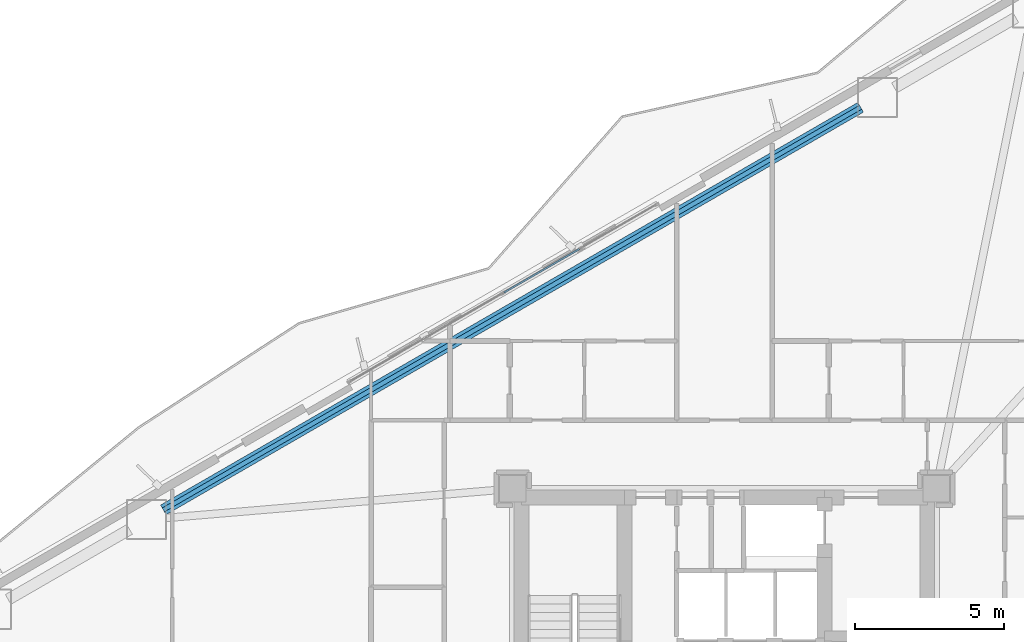
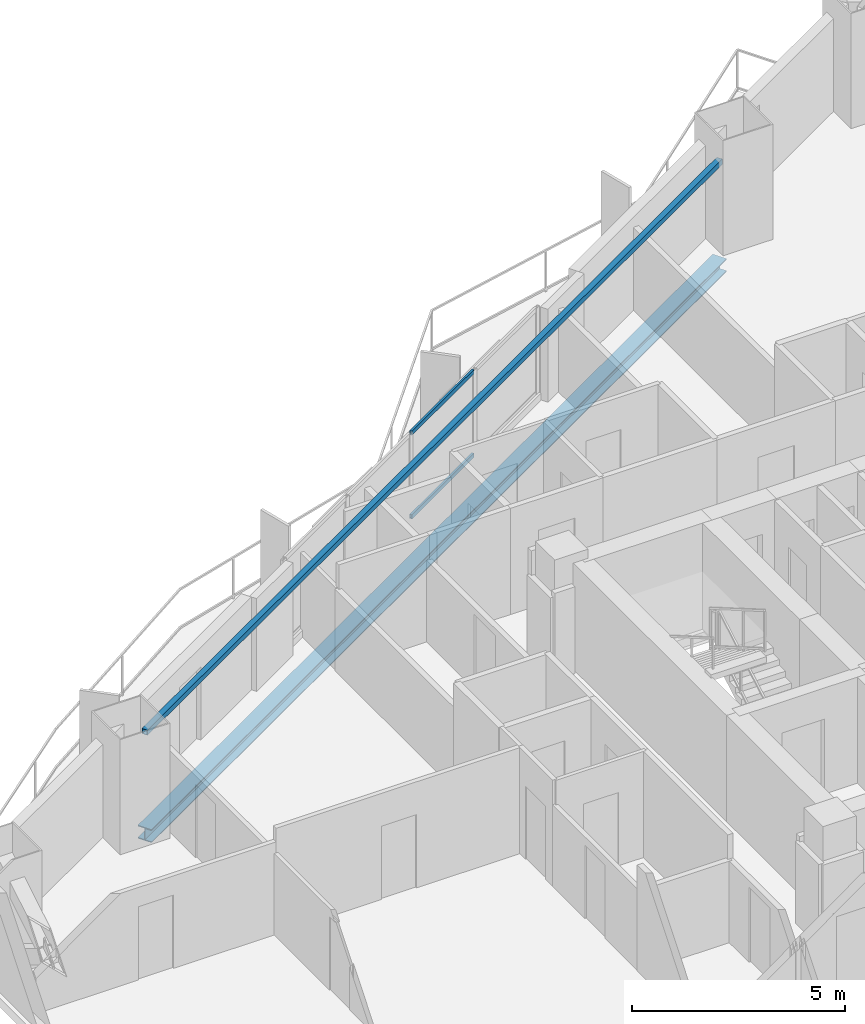
# One storey, part 8 of 19: 2 beams, 2 members, 1 element without a shape of its own.
"""IFC4 building model written with IfcOpenShell, lengths in metres."""

from ifc_helpers import new_model, si_unit, direction, frame, origin, origin_2d, place, context, subcontext, project, spatial, hollow_rectangle, i_section, extrude, material, layer, layer_set, material_profile, profile_set, type_object, element, aggregate, save


model = new_model("IFC4")

# Units and contexts
model_context = context("Model", 3, precision=1e-05, world=origin(), true_north=direction((0.0, 1.0)))
body_context = subcontext(model_context, "Body", "Model", "MODEL_VIEW")
ifc_project = project(units=[si_unit("LENGTHUNIT", "METRE"), si_unit("AREAUNIT", "SQUARE_METRE"), si_unit("VOLUMEUNIT", "CUBIC_METRE"), si_unit("PLANEANGLEUNIT", "RADIAN"), si_unit("MASSUNIT", "GRAM", prefix="KILO")], contexts=[model_context])

# Site, building, storey
site_placement = place(None, origin())
site = spatial("IfcSite", under=ifc_project, at=site_placement, CompositionType="ELEMENT")
building_placement = place(site_placement, origin())
building = spatial("IfcBuilding", under=site, at=building_placement, Name="Mersakhor Tower and Convention Hall", CompositionType="ELEMENT")
storey_placement = place(building_placement, frame((0.0, 0.0, 48.89990234375)))
storey = spatial("IfcBuildingStorey", under=building, at=storey_placement, Name="L13", CompositionType="ELEMENT", Elevation=48.89990234375)

# Beams
ifc_material_1 = material(Name="Steel S355", Category="steel")
ifc_material_profile_1 = material_profile(ifc_material_1, hollow_rectangle(XDim=0.14990234375, YDim=0.14990234375, WallThickness=0.010009765625, at=origin_2d()), Name="SHS 150x150x10")
ifc_profile_set_1 = profile_set([ifc_material_profile_1], Name="Steel S355")
beam_type_1 = type_object("IfcBeamType", Name="BM-GRT-SHS150", PredefinedType="USERDEFINED", material=ifc_profile_set_1)
beam_1_placement = place(storey_placement, frame((10.183837890625, 32.341064453125, 2.47998046875), z_axis=(0.866025970279, 0.499999018801, 0.0), x_axis=(-0.499999018801, 0.866025970279, 0.0)))
element("IfcBeam", 1, at=beam_1_placement, inside=storey, type_object=beam_type_1, Name="L13 Facade Support Girt GRT-F1", ObjectType="GIRT", PredefinedType="USERDEFINED", context=body_context, shape_type="SweptSolid", body=[
    extrude(hollow_rectangle(XDim=0.14990234375, YDim=0.14990234375, WallThickness=0.010009765625, at=origin_2d()), origin(), (0.0, 0.0, 1.0), 26.99951171875),
])
ifc_material_2 = material(Name="Steel S355", Category="steel")
ifc_material_profile_2 = material_profile(ifc_material_2, i_section(OverallWidth=0.374755859375, OverallDepth=0.37451171875, WebThickness=0.0166015625, FlangeThickness=0.027099609375, at=origin_2d()), Name="UC 356x368x202")
ifc_profile_set_2 = profile_set([ifc_material_profile_2], Name="Steel S355")
beam_type_2 = type_object("IfcBeamType", Name="BM-SPD-UC356", PredefinedType="SPANDREL", material=ifc_profile_set_2)
beam_2_placement = place(storey_placement, frame((10.183837890625, 32.341064453125, -0.447265625), z_axis=(0.866025970279, 0.499999018801, 0.0), x_axis=(-0.499999018801, 0.866025970279, 0.0)))
element("IfcBeam", 2, at=beam_2_placement, inside=storey, type_object=beam_type_2, Name="L13 Perimeter Spandrel Beam SPB-02", PredefinedType="SPANDREL", context=body_context, shape_type="SweptSolid", body=[
    extrude(i_section(OverallWidth=0.374755859375, OverallDepth=0.37451171875, WebThickness=0.0166015625, FlangeThickness=0.027099609375, at=origin_2d()), origin(), (0.0, 0.0, 1.0), 26.99951171875),
])

# Curtain wall, members
ifc_material_3 = material(Name="Dark solar low-E aluminium curtain wall", Category="aluminium")
ifc_layer = layer(ifc_material_3, 0.159912109375)
ifc_layer_set = layer_set([ifc_layer], Name="Dark solar low-E aluminium curtain wall")
curtain_wall_type = type_object("IfcCurtainWallType", Name="CW-SYS-01", PredefinedType="USERDEFINED", material=ifc_layer_set)
curtain_wall_placement = place(storey_placement, origin())
curtain_wall = element("IfcCurtainWall", 3, at=curtain_wall_placement, inside=storey, type_object=curtain_wall_type, Name="L13 Dark-Glass Curtain Wall F1-B2", ObjectType="CURTAIN WALL", PredefinedType="USERDEFINED")
ifc_material_4 = material(Name="Anodised aluminium EN AW-6063 T6", Category="aluminium")
ifc_material_profile_3 = material_profile(ifc_material_4, hollow_rectangle(XDim=0.06005859375, YDim=0.1201171875, WallThickness=0.0048828125, at=origin_2d()), Name="RHS 120x60x5")
ifc_profile_set_3 = profile_set([ifc_material_profile_3], Name="Anodised aluminium EN AW-6063 T6")
member_type = type_object("IfcMemberType", Name="CWT-120x60", PredefinedType="USERDEFINED", material=ifc_profile_set_3)
member_1_placement = place(storey_placement, frame((21.607421875, 39.629150390625, 0.22998046875), z_axis=(0.866015622527, 0.500016941252, 0.0), x_axis=(-0.500016941252, 0.866015622527, 0.0)))
member_1 = element("IfcMember", 4, at=member_1_placement, type_object=member_type, Name="CW-01 transom 3.1", ObjectType="TRANSOM", PredefinedType="USERDEFINED", context=body_context, shape_type="SweptSolid", body=[
    extrude(hollow_rectangle(XDim=0.06005859375, YDim=0.1201171875, WallThickness=0.0048828125, at=origin_2d()), origin(), (0.0, 0.0, 1.0), 2.91845703125),
])
member_2_placement = place(storey_placement, frame((21.607421875, 39.629150390625, 2.630126953125), z_axis=(0.866015622527, 0.500016941252, 0.0), x_axis=(-0.500016941252, 0.866015622527, 0.0)))
member_2 = element("IfcMember", 5, at=member_2_placement, type_object=member_type, Name="CW-01 transom 3.2", ObjectType="TRANSOM", PredefinedType="USERDEFINED", context=body_context, shape_type="SweptSolid", body=[
    extrude(hollow_rectangle(XDim=0.06005859375, YDim=0.1201171875, WallThickness=0.0048828125, at=origin_2d()), origin(), (0.0, 0.0, 1.0), 2.91845703125),
])
aggregate(curtain_wall, [member_1, member_2])

save(model, "model.ifc")
